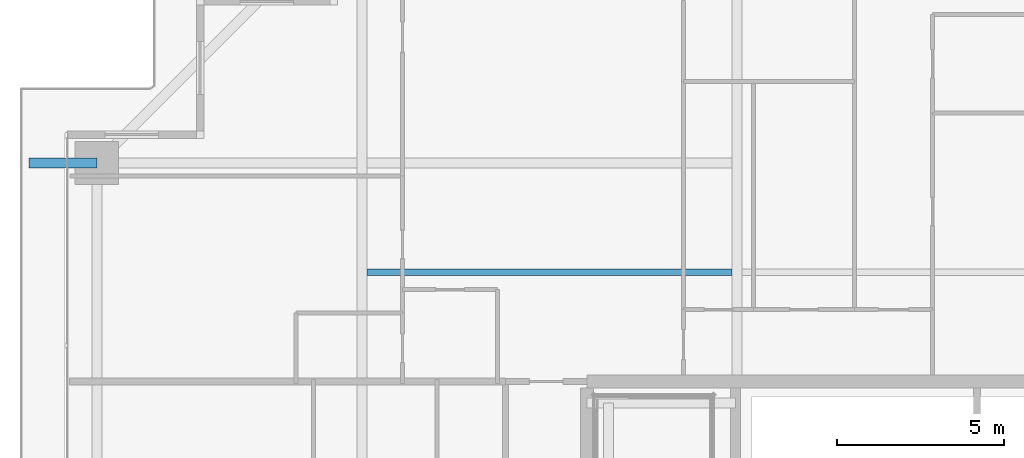
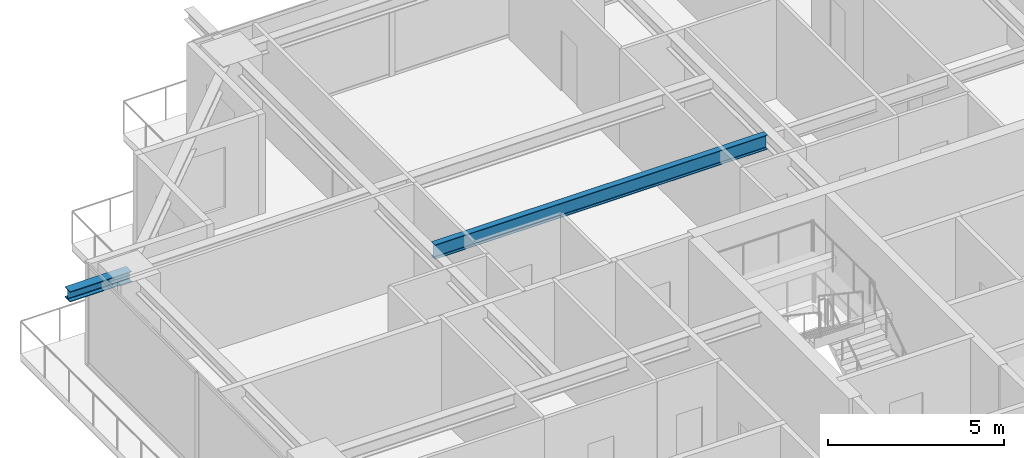
# One storey, part 18 of 38: 2 beams.
"""IFC4 building model written with IfcOpenShell, lengths in metres."""

from ifc_helpers import new_model, si_unit, direction, frame, origin, origin_2d, place, context, subcontext, project, spatial, i_section, extrude, source, transform, mapped, material, material_profile, profile_set, type_object, element, save


model = new_model("IFC4")

# Units and contexts
model_context = context("Model", 3, precision=1e-05, world=origin(), true_north=direction((0.0, 1.0)))
body_context = subcontext(model_context, "Body", "Model", "MODEL_VIEW")
ifc_project = project(units=[si_unit("LENGTHUNIT", "METRE"), si_unit("AREAUNIT", "SQUARE_METRE"), si_unit("VOLUMEUNIT", "CUBIC_METRE"), si_unit("PLANEANGLEUNIT", "RADIAN"), si_unit("MASSUNIT", "GRAM", prefix="KILO")], contexts=[model_context])

# Site, building, storey
site_placement = place(None, origin())
site = spatial("IfcSite", under=ifc_project, at=site_placement, CompositionType="ELEMENT")
building_placement = place(site_placement, origin())
building = spatial("IfcBuilding", under=site, at=building_placement, Name="Serunith Strait Residences", CompositionType="ELEMENT")
storey_placement = place(building_placement, frame((0.0, 0.0, 176.39990234375)))
storey = spatial("IfcBuildingStorey", under=building, at=storey_placement, Name="L44", CompositionType="ELEMENT", Elevation=176.39990234375)

# Beams
ifc_material = material(Name="Steel S355J2", Category="steel")
ifc_material_profile_1 = material_profile(ifc_material, i_section(OverallWidth=0.199951171875, OverallDepth=0.5, WebThickness=0.01025390625, FlangeThickness=0.01611328125, FilletRadius=0.02099609375, at=origin_2d()), Name="IPE 500")
ifc_profile_set_1 = profile_set([ifc_material_profile_1], Name="Steel S355J2")
beam_type_1 = type_object("IfcBeamType", Name="BM-IPE500", PredefinedType="JOIST", material=ifc_profile_set_1)
shared_shape_1 = source(origin(), body_context, "Body", "SweptSolid", [
    extrude(i_section(OverallWidth=0.199951171875, OverallDepth=0.5, WebThickness=0.01025390625, FlangeThickness=0.01611328125, FilletRadius=0.02099609375, at=origin_2d()), origin(), (0.0, 0.0, 1.0), 10.949951171875),
])
beam_1_placement = place(storey_placement, frame((16.800048828125, 36.875, 3.237060546875), z_axis=(1.0, 0.0, 0.0), x_axis=(0.0, 1.0, 0.0)))
element("IfcBeam", 1, at=beam_1_placement, inside=storey, type_object=beam_type_1, Name="L44 Composite Floor Joist 04", PredefinedType="JOIST", context=body_context, shape_type="MappedRepresentation", body=[
    mapped(shared_shape_1, transform((0.0, 0.0, 0.0), scale=1.0)),
])
ifc_material_profile_2 = material_profile(ifc_material, i_section(OverallWidth=0.300048828125, OverallDepth=0.360107421875, WebThickness=0.012451171875, FlangeThickness=0.0224609375, FilletRadius=0.027099609375, at=origin_2d()), Name="HEB 360")
ifc_profile_set_2 = profile_set([ifc_material_profile_2], Name="Steel S355J2")
beam_type_2 = type_object("IfcBeamType", Name="BM-HEB360", PredefinedType="BEAM", material=ifc_profile_set_2)
shared_shape_2 = source(origin(), body_context, "Body", "SweptSolid", [
    extrude(i_section(OverallWidth=0.300048828125, OverallDepth=0.360107421875, WebThickness=0.012451171875, FlangeThickness=0.0224609375, FilletRadius=0.027099609375, at=origin_2d()), origin(), (0.0, 0.0, 1.0), 2.030029296875),
])
beam_2_placement = place(storey_placement, frame((8.699951171875, 40.14990234375, 3.277099609375), z_axis=(-1.0, 0.0, 0.0), x_axis=(0.0, -1.0, 0.0)))
element("IfcBeam", 2, at=beam_2_placement, inside=storey, type_object=beam_type_2, Name="L45 Cantilevered Balcony Rib TC-W4", PredefinedType="BEAM", context=body_context, shape_type="MappedRepresentation", body=[
    mapped(shared_shape_2, transform((0.0, 0.0, 0.0), scale=1.0)),
])

save(model, "model.ifc")
